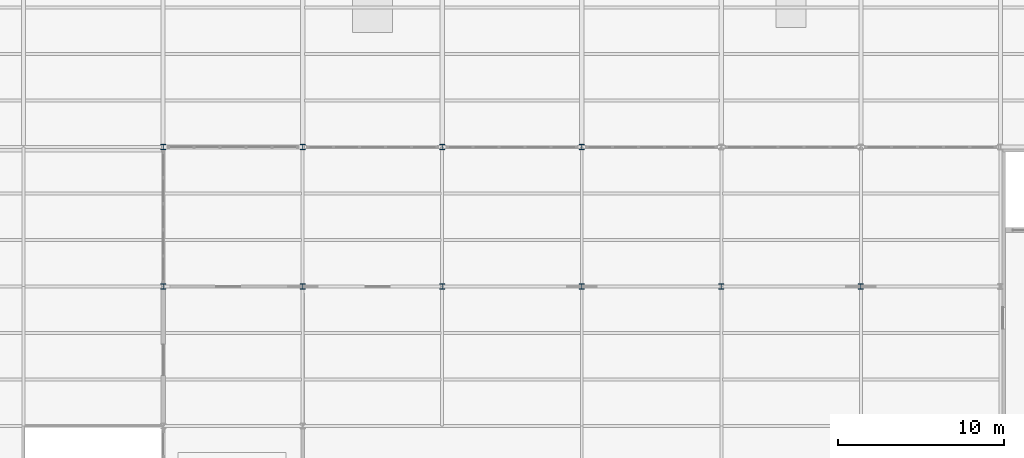
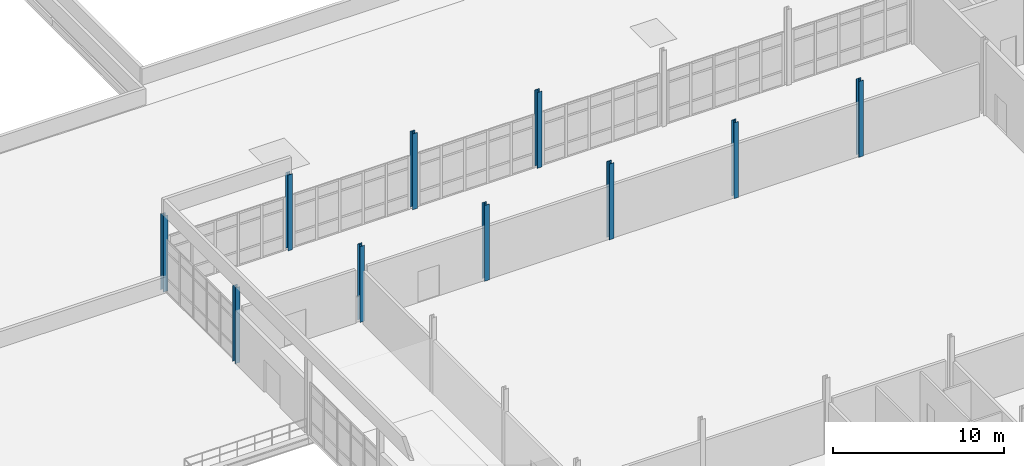
# One storey, part 4 of 33: 10 columns.
"""IFC4 building model written with IfcOpenShell, lengths in metres."""

from ifc_helpers import new_model, si_unit, direction, frame, origin, origin_2d, place, context, subcontext, project, spatial, i_section, extrude, material, material_profile, profile_set, type_object, element, save


model = new_model("IFC4")

# Units and contexts
model_context = context("Model", 3, precision=1e-05, world=origin(), true_north=direction((0.0, 1.0)))
body_context = subcontext(model_context, "Body", "Model", "MODEL_VIEW")
ifc_project = project(units=[si_unit("LENGTHUNIT", "METRE"), si_unit("AREAUNIT", "SQUARE_METRE"), si_unit("VOLUMEUNIT", "CUBIC_METRE"), si_unit("PLANEANGLEUNIT", "RADIAN"), si_unit("MASSUNIT", "GRAM", prefix="KILO"), si_unit("THERMODYNAMICTEMPERATUREUNIT", "KELVIN"), si_unit("POWERUNIT", "WATT")], contexts=[model_context])

# Site, building, storey
site_placement = place(None, origin())
site = spatial("IfcSite", under=ifc_project, at=site_placement, CompositionType="ELEMENT")
building_placement = place(site_placement, origin())
building = spatial("IfcBuilding", under=site, at=building_placement, Name="Tembeka Court Mobility Hub", CompositionType="ELEMENT")
storey_placement = place(building_placement, frame((0.0, 0.0, 23.39990234375)))
storey = spatial("IfcBuildingStorey", under=building, at=storey_placement, Name="L06", CompositionType="ELEMENT", Elevation=23.39990234375)

# Columns
ifc_material = material(Name="Steel S355", Category="steel")
ifc_material_profile = material_profile(ifc_material, i_section(OverallWidth=0.30908203125, OverallDepth=0.321044921875, WebThickness=0.013916015625, FlangeThickness=0.021728515625, FilletRadius=0.01513671875, at=origin_2d()), Name="UKC 305x305x137")
ifc_profile_set = profile_set([ifc_material_profile], Name="Steel S355")
column_type = type_object("IfcColumnType", Name="COL-C04", PredefinedType="COLUMN", material=ifc_profile_set)
for number, where, z_axis, x_axis, name in (
    (1, (33.60009765625, 72.0, 0.0), (0.0, 0.0, 1.0), (1.0, 0.0, 0.0), "Column C04 (L06-054)"),
    (2, (33.60009765625, 80.39990234375, 0.0), (0.0, 0.0, 1.0), (1.0, 0.0, 0.0), "Column C04 (L06-055)"),
    (3, (42.0, 72.0, 0.0), (0.0, 0.0, 1.0), (1.0, 0.0, 0.0), "Column C04 (L06-066)"),
    (4, (42.0, 80.39990234375, 0.0), (0.0, 0.0, 1.0), (1.0, 0.0, 0.0), "Column C04 (L06-067)"),
    (5, (50.39990234375, 72.0, 0.0), (0.0, 0.0, 1.0), (1.0, 0.0, 0.0), "Column C04 (L06-078)"),
    (6, (50.39990234375, 80.39990234375, 0.0), (0.0, 0.0, 1.0), (1.0, 0.0, 0.0), "Column C04 (L06-079)"),
    (7, (58.800048828125, 72.0, 0.0), (0.0, 0.0, 1.0), (1.0, 0.0, 0.0), "Column C04 (L06-089)"),
    (8, (58.800048828125, 80.39990234375, 0.0), (0.0, 0.0, 1.0), (1.0, 0.0, 0.0), "Column C04 (L06-090)"),
    (9, (67.199951171875, 72.0, 0.0), (0.0, 0.0, 1.0), (1.0, 0.0, 0.0), "Column C04 (L06-099)"),
    (10, (75.60009765625, 72.0, 0.0), (0.0, 0.0, 1.0), (1.0, 0.0, 0.0), "Column C04 (L06-109)"),
):
    element("IfcColumn", number, at=place(storey_placement, frame(where, z_axis=z_axis, x_axis=x_axis)), inside=storey, type_object=column_type, Name=name, PredefinedType="COLUMN", context=body_context, shape_type="SweptSolid", body=[
        extrude(i_section(OverallWidth=0.30908203125, OverallDepth=0.321044921875, WebThickness=0.013916015625, FlangeThickness=0.021728515625, FilletRadius=0.01513671875, at=origin_2d()), origin(), (0.0, 0.0, 1.0), 5.400146484375),
    ])

save(model, "model.ifc")
